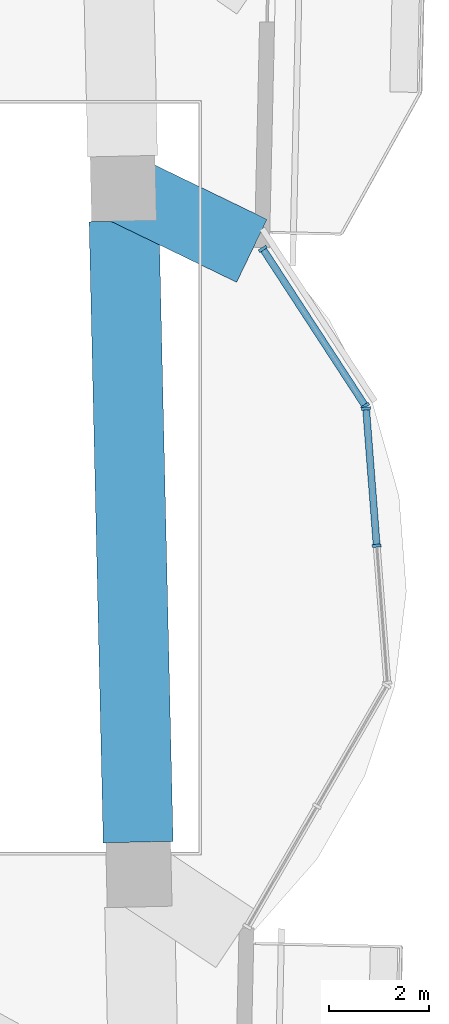
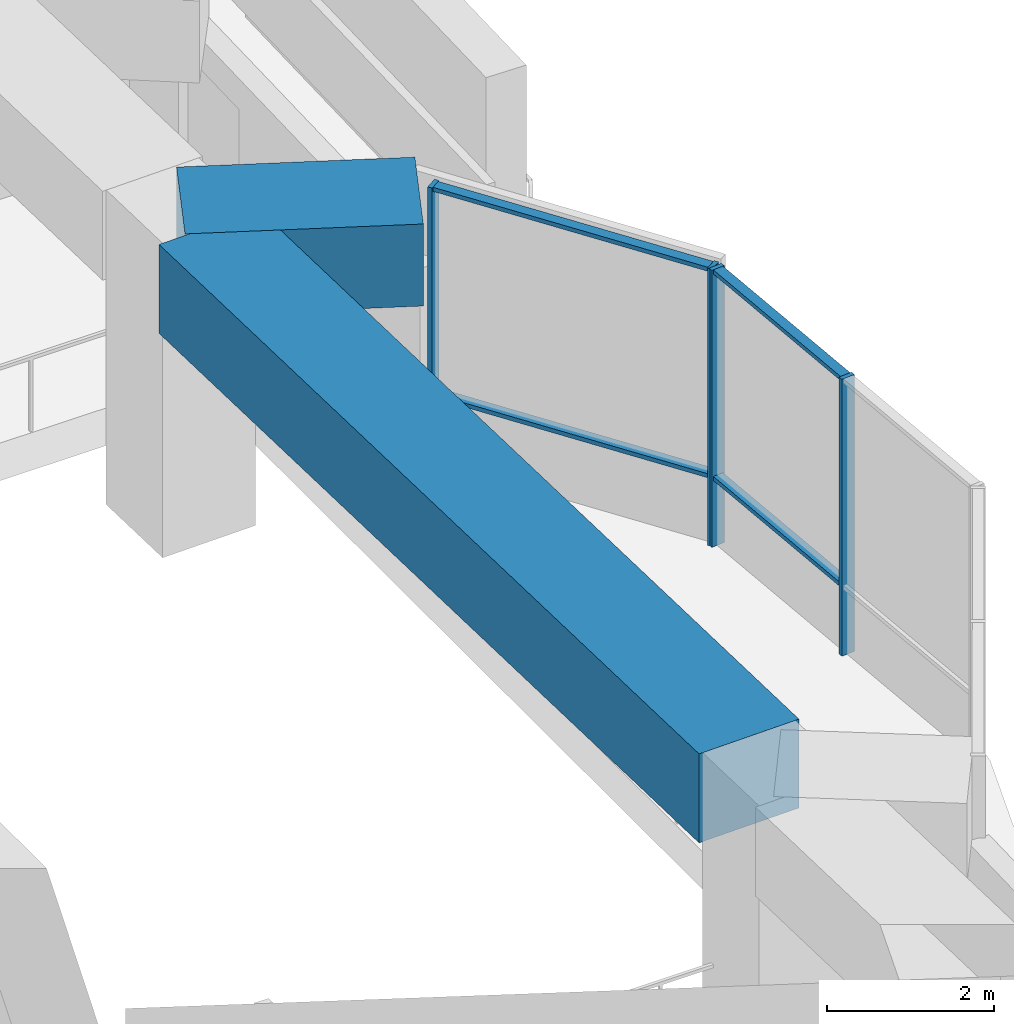
# One storey, part 4 of 17: 8 members, 2 beams, 2 elements without a shape of their own.
"""IFC4 building model written with IfcOpenShell, lengths in metres."""

import ifcopenshell
import ifcopenshell.guid

model = None  # the IFC model being written
_history = None  # IfcOwnerHistory: only IFC2X3 demands one
_inside = {}  # id of a spatial element -> (the spatial element, [elements in it])
_under = {}  # id of a project, library or spatial element -> (it, [spatial elements below it])
_declared = {}  # id of a project -> (the project, [libraries it declares])
_typed = {}  # id of a type object -> (the type object, [elements of that type])
_made_of = {}  # id of a material, layer set ... -> (it, [elements and type objects made of it])


def new_model(schema):
    """Start an empty IFC model of exactly this schema.

    Asked for "IFC4X3", IfcOpenShell would pick the latest addendum, in which some entities
    have other attributes; the version numbers below select the first issue.
    IFC2X3 requires an IfcOwnerHistory on every rooted entity: one is made here for all.
    """
    global model, _history
    if schema == "IFC4X3":
        model = ifcopenshell.file(schema_version=(4, 3, 0, 0))
    else:
        model = ifcopenshell.file(schema=schema)
    _inside.clear()
    _under.clear()
    _declared.clear()
    _typed.clear()
    _made_of.clear()
    _history = None
    if model.schema == "IFC2X3":
        org = make("IfcOrganization", Name="unknown")
        user = make(
            "IfcPersonAndOrganization",
            ThePerson=make("IfcPerson", FamilyName="unknown"),
            TheOrganization=org,
        )
        app = make(
            "IfcApplication",
            ApplicationDeveloper=org,
            Version="unknown",
            ApplicationFullName="unknown",
            ApplicationIdentifier="unknown",
        )
        _history = make(
            "IfcOwnerHistory",
            OwningUser=user,
            OwningApplication=app,
            ChangeAction="ADDED",
            CreationDate=0,
        )
    return model


def make(cls, **values):
    """One entity of the class cls with the attributes given. An attribute that is None is left unset."""
    return model.create_entity(
        cls, **{name: value for name, value in values.items() if value is not None}
    )


def rooted(cls, **values):
    """An entity with a GlobalId (a new one), such as an element, a storey or a relation."""
    return make(cls, GlobalId=ifcopenshell.guid.new(), OwnerHistory=_history, **values)


def si_unit(unit_type, name, prefix=None):
    """IfcSIUnit, for example si_unit("LENGTHUNIT", "METRE", prefix="MILLI")."""
    return make("IfcSIUnit", UnitType=unit_type, Prefix=prefix, Name=name)


def assignment(units):
    """IfcUnitAssignment: the units of a project."""
    return None if units is None else make("IfcUnitAssignment", Units=units)


def point(xyz):
    """IfcCartesianPoint."""
    return None if xyz is None else make("IfcCartesianPoint", Coordinates=xyz)


def direction(xyz):
    """IfcDirection."""
    return None if xyz is None else make("IfcDirection", DirectionRatios=xyz)


def frame(location, z_axis=None, x_axis=None):
    """IfcAxis2Placement3D, a coordinate frame: its origin and axes. An axis left out is left unset."""
    return make(
        "IfcAxis2Placement3D",
        Location=point(location),
        Axis=direction(z_axis),
        RefDirection=direction(x_axis),
    )


def frame_2d(location, x_axis=None):
    """IfcAxis2Placement2D, a coordinate frame in the plane: its origin and x axis."""
    return make(
        "IfcAxis2Placement2D", Location=point(location), RefDirection=direction(x_axis)
    )


def origin():
    """The frame at (0, 0, 0) with its axes left unset."""
    return frame((0.0, 0.0, 0.0))


def origin_2d():
    """The frame at (0, 0) in the plane with its x axis left unset."""
    return frame_2d((0.0, 0.0))


def place(relative_to, where):
    """IfcLocalPlacement: puts the frame where relative to a parent placement (None: the world)."""
    return make(
        "IfcLocalPlacement", PlacementRelTo=relative_to, RelativePlacement=where
    )


def context(
    kind, dimensions, precision=None, world=None, true_north=None, identifier=None
):
    """IfcGeometricRepresentationContext, for example the 3D "Model" context."""
    return make(
        "IfcGeometricRepresentationContext",
        ContextIdentifier=identifier,
        ContextType=kind,
        CoordinateSpaceDimension=dimensions,
        Precision=precision,
        WorldCoordinateSystem=world,
        TrueNorth=true_north,
    )


def subcontext(parent, identifier, kind, view, scale=None):
    """IfcGeometricRepresentationSubContext, for example "Body" below "Model"."""
    return make(
        "IfcGeometricRepresentationSubContext",
        ContextIdentifier=identifier,
        ContextType=kind,
        ParentContext=parent,
        TargetScale=scale,
        TargetView=view,
    )


def project(units=None, contexts=None):
    """IfcProject with its units and contexts."""
    return rooted(
        "IfcProject",
        Name="project",
        RepresentationContexts=contexts,
        UnitsInContext=assignment(units),
    )


def spatial(cls, under=None, at=None, **own):
    """A site, building, storey or space (cls), placed at a placement, below another one or the project."""
    s = rooted(cls, ObjectPlacement=at, **own)
    if under is not None:
        _under.setdefault(under.id(), (under, []))[1].append(s)
    return s


def profile(cls, at=None, kind="AREA", **sizes):
    """A parametric profile (cls). Its sizes go by their IFC names, for example OverallWidth=200.0."""
    return make(cls, ProfileType=kind, Position=at, **sizes)


def rectangle(**sizes):
    """IfcRectangleProfileDef."""
    return profile("IfcRectangleProfileDef", **sizes)


def extrude(swept, where, along, depth):
    """IfcExtrudedAreaSolid: the profile swept, set in the frame where, extruded along a direction by depth."""
    return make(
        "IfcExtrudedAreaSolid",
        SweptArea=swept,
        Position=where,
        ExtrudedDirection=direction(along),
        Depth=depth,
    )


def shape(context_of_items, identifier, shape_type, items):
    """IfcShapeRepresentation: the items that make up one representation, for example the "Body"."""
    return make(
        "IfcShapeRepresentation",
        ContextOfItems=context_of_items,
        RepresentationIdentifier=identifier,
        RepresentationType=shape_type,
        Items=items,
    )


def material(Name=None, Category=None):
    """IfcMaterial."""
    return make("IfcMaterial", Name=Name, Category=Category)


def material_profile(
    of_material, cross_section, Name=None, Category=None, Priority=None
):
    """IfcMaterialProfile: a cross section and its material."""
    return make(
        "IfcMaterialProfile",
        Name=Name,
        Material=of_material,
        Profile=cross_section,
        Priority=Priority,
        Category=Category,
    )


def profile_set(profiles, Name=None, composite=None):
    """IfcMaterialProfileSet."""
    return make(
        "IfcMaterialProfileSet",
        Name=Name,
        MaterialProfiles=profiles,
        CompositeProfile=composite,
    )


def made_of(thing, what):
    """Note that an element or type object is made of a material, layer set ...; save() writes the relation."""
    if what is not None:
        _made_of.setdefault(what.id(), (what, []))[1].append(thing)
    return thing


def type_object(cls, material=None, **own):
    """A type object (cls), such as IfcWallType, which elements share."""
    return made_of(rooted(cls, **own), material)


def element(
    cls,
    number,
    at=None,
    inside=None,
    cuts=None,
    type_object=None,
    material=None,
    context=None,
    identifier="Body",
    shape_type=None,
    held_by="IfcProductDefinitionShape",
    body=None,
    shapes=None,
    **own,
):
    """One element of the class cls, such as IfcWall. Its Tag is "e" and its number.

    at: its placement. inside: the storey or other place that contains it. cuts: it is an
    opening in that element (IfcRelVoidsElement). A single representation is given by context,
    identifier, shape_type and body (its items); several are given by shapes. held_by: the class
    of the entity that holds the representations. save() writes the other relations.
    """
    e = rooted(cls, Tag="e%d" % number, ObjectPlacement=at, **own)
    if body is not None:
        shapes = [shape(context, identifier, shape_type, body)]
    if shapes is not None:
        e.Representation = make(held_by, Representations=shapes)
    if inside is not None:
        _inside.setdefault(inside.id(), (inside, []))[1].append(e)
    if cuts is not None:
        rooted(
            "IfcRelVoidsElement", RelatingBuildingElement=cuts, RelatedOpeningElement=e
        )
    if type_object is not None:
        _typed.setdefault(type_object.id(), (type_object, []))[1].append(e)
    return made_of(e, material)


def aggregate(whole, parts):
    """IfcRelAggregates: a whole, such as a stair, and the parts it consists of."""
    return rooted("IfcRelAggregates", RelatingObject=whole, RelatedObjects=parts)


def save(model, path):
    """Write the relations noted so far, then the file.

    IfcRelAggregates (storeys below a building ...), IfcRelContainedInSpatialStructure (elements
    in a storey), IfcRelDefinesByType, IfcRelAssociatesMaterial and IfcRelDeclares: one each for
    every whole, place, type object, material and project.
    """
    for whole, parts in _under.values():
        aggregate(whole, parts)
    for where, things in _inside.values():
        rooted(
            "IfcRelContainedInSpatialStructure",
            RelatedElements=things,
            RelatingStructure=where,
        )
    for kind, things in _typed.values():
        rooted("IfcRelDefinesByType", RelatedObjects=things, RelatingType=kind)
    for what, things in _made_of.values():
        rooted("IfcRelAssociatesMaterial", RelatedObjects=things, RelatingMaterial=what)
    for by, libraries in _declared.values():
        rooted("IfcRelDeclares", RelatingContext=by, RelatedDefinitions=libraries)
    model.write(path)


model = new_model("IFC4")

# Units and contexts
model_context = context("Model", 3, precision=1e-05, world=origin(), true_north=direction((0.0, 1.0)))
body_context = subcontext(model_context, "Body", "Model", "MODEL_VIEW")
ifc_project = project(units=[si_unit("LENGTHUNIT", "METRE"), si_unit("AREAUNIT", "SQUARE_METRE"), si_unit("VOLUMEUNIT", "CUBIC_METRE"), si_unit("PLANEANGLEUNIT", "RADIAN"), si_unit("MASSUNIT", "GRAM", prefix="KILO")], contexts=[model_context])

# Site, building, storey
site_placement = place(None, origin())
site = spatial("IfcSite", under=ifc_project, at=site_placement, CompositionType="ELEMENT")
building_placement = place(site_placement, origin())
building = spatial("IfcBuilding", under=site, at=building_placement, Name="Mangrove Gate Tower", CompositionType="ELEMENT")
storey_placement = place(building_placement, frame((0.0, 0.0, 148.10009765625)))
storey = spatial("IfcBuildingStorey", under=building, at=storey_placement, Name="L37", CompositionType="ELEMENT", Elevation=148.10009765625)

# Curtain wall, members
ifc_material_1 = material(Name="Aluminium and glass curtain wall", Category="aluminium")
curtain_wall_type = type_object("IfcCurtainWallType", Name="Sky-lounge glazing wall", PredefinedType="NOTDEFINED", material=ifc_material_1)
curtain_wall_1_placement = place(storey_placement, origin())
curtain_wall_1 = element("IfcCurtainWall", 1, at=curtain_wall_1_placement, inside=storey, type_object=curtain_wall_type, Name="Sky-lounge glazing E1f2", PredefinedType="NOTDEFINED")
ifc_material_2 = material(Name="Aluminium alloy 6063-T6", Category="aluminium")
ifc_material_profile_1 = material_profile(ifc_material_2, rectangle(XDim=0.06005859375, YDim=0.179931640625, at=origin_2d()))
ifc_profile_set_1 = profile_set([ifc_material_profile_1], Name="Aluminium alloy 6063-T6")
member_type_1 = type_object("IfcMemberType", Name="Sky-lounge glazing mullion 60x180", PredefinedType="MULLION", material=ifc_profile_set_1)
member_1_placement = place(storey_placement, frame((28.53759765625, -1.361572265625, 0.0), z_axis=(0.0, 0.0, 1.0), x_axis=(-0.077023348403, 0.997029289339, 0.0)))
member_1 = element("IfcMember", 2, at=member_1_placement, type_object=member_type_1, Name="CWK mullion 2", PredefinedType="MULLION", context=body_context, shape_type="SweptSolid", body=[
    extrude(rectangle(XDim=0.06005859375, YDim=0.179931640625, at=origin_2d()), origin(), (0.0, 0.0, 1.0), 4.0498046875),
])
member_2_placement = place(storey_placement, frame((28.3251953125, 1.386962890625, 0.0), z_axis=(0.0, 0.0, 1.0), x_axis=(-0.077023348403, 0.997029289339, 0.0)))
member_2 = element("IfcMember", 3, at=member_2_placement, type_object=member_type_1, Name="CWK mullion 3", PredefinedType="MULLION", context=body_context, shape_type="SweptSolid", body=[
    extrude(rectangle(XDim=0.06005859375, YDim=0.179931640625, at=origin_2d()), origin(), (0.0, 0.0, 1.0), 4.0498046875),
])

curtain_wall_2_placement = place(storey_placement, origin())
curtain_wall_2 = element("IfcCurtainWall", 4, at=curtain_wall_2_placement, inside=storey, type_object=curtain_wall_type, Name="Sky-lounge glazing E1f3", PredefinedType="NOTDEFINED")
member_3_placement = place(storey_placement, frame((28.306396484375, 1.44189453125, 0.0), z_axis=(0.0, 0.0, 1.0), x_axis=(-0.546235085045, 0.837631919083, 0.0)))
member_3 = element("IfcMember", 5, at=member_3_placement, type_object=member_type_1, Name="CWK mullion 1", PredefinedType="MULLION", context=body_context, shape_type="SweptSolid", body=[
    extrude(rectangle(XDim=0.06005859375, YDim=0.179931640625, at=origin_2d()), origin(), (0.0, 0.0, 1.0), 4.0498046875),
])
member_4_placement = place(storey_placement, frame((26.2548828125, 4.588134765625, 0.0), z_axis=(0.0, 0.0, 1.0), x_axis=(-0.546235085045, 0.837631919083, 0.0)))
member_4 = element("IfcMember", 6, at=member_4_placement, type_object=member_type_1, Name="CWK mullion 2", PredefinedType="MULLION", context=body_context, shape_type="SweptSolid", body=[
    extrude(rectangle(XDim=0.06005859375, YDim=0.179931640625, at=origin_2d()), origin(), (0.0, 0.0, 1.0), 4.0498046875),
])

# Member
ifc_material_3 = material(Name="Aluminium alloy 6063-T6", Category="aluminium")
ifc_material_profile_2 = material_profile(ifc_material_3, rectangle(XDim=0.06005859375, YDim=0.139892578125, at=origin_2d()))
ifc_profile_set_2 = profile_set([ifc_material_profile_2], Name="Aluminium alloy 6063-T6")
member_type_2 = type_object("IfcMemberType", Name="Sky-lounge glazing transom 60x140", PredefinedType="USERDEFINED", material=ifc_profile_set_2)
member_5_placement = place(storey_placement, frame((28.53515625, -1.33154296875, 1.0), z_axis=(-0.076952650158, 0.997034748458, 0.0), x_axis=(0.0, 0.0, 1.0)))
member_5 = element("IfcMember", 7, at=member_5_placement, type_object=member_type_2, Name="CWK transom 2.2", ObjectType="TRANSOM", PredefinedType="USERDEFINED", context=body_context, shape_type="SweptSolid", body=[
    extrude(rectangle(XDim=0.06005859375, YDim=0.139892578125, at=origin_2d()), origin(), (0.0, 0.0, 1.0), 2.69677734375),
])

member_6_placement = place(storey_placement, frame((28.53515625, -1.33154296875, 4.02001953125), z_axis=(-0.076952650158, 0.997034748458, 0.0), x_axis=(0.0, 0.0, 1.0)))
member_6 = element("IfcMember", 8, at=member_6_placement, type_object=member_type_2, Name="CWK transom 2.3", ObjectType="TRANSOM", PredefinedType="USERDEFINED", context=body_context, shape_type="SweptSolid", body=[
    extrude(rectangle(XDim=0.06005859375, YDim=0.139892578125, at=origin_2d()), origin(), (0.0, 0.0, 1.0), 2.69677734375),
])

aggregate(curtain_wall_1, [member_1, member_2, member_5, member_6])

member_7_placement = place(storey_placement, frame((28.2900390625, 1.467041015625, 1.0), z_axis=(-0.546211360714, 0.837647389674, 0.0), x_axis=(0.0, 0.0, 1.0)))
member_7 = element("IfcMember", 9, at=member_7_placement, type_object=member_type_2, Name="CWK transom 1.2", ObjectType="TRANSOM", PredefinedType="USERDEFINED", context=body_context, shape_type="SweptSolid", body=[
    extrude(rectangle(XDim=0.06005859375, YDim=0.139892578125, at=origin_2d()), origin(), (0.0, 0.0, 1.0), 3.696044921875),
])

member_8_placement = place(storey_placement, frame((28.2900390625, 1.467041015625, 4.02001953125), z_axis=(-0.546211360714, 0.837647389674, 0.0), x_axis=(0.0, 0.0, 1.0)))
member_8 = element("IfcMember", 10, at=member_8_placement, type_object=member_type_2, Name="CWK transom 1.3", ObjectType="TRANSOM", PredefinedType="USERDEFINED", context=body_context, shape_type="SweptSolid", body=[
    extrude(rectangle(XDim=0.06005859375, YDim=0.139892578125, at=origin_2d()), origin(), (0.0, 0.0, 1.0), 3.696044921875),
])

aggregate(curtain_wall_2, [member_3, member_4, member_7, member_8])

# Beams
ifc_material_4 = material(Name="Concrete C60/75", Category="concrete")
ifc_material_profile_3 = material_profile(ifc_material_4, rectangle(XDim=1.39990234375, YDim=1.199951171875, at=origin_2d()))
ifc_profile_set_3 = profile_set([ifc_material_profile_3], Name="Concrete C60/75")
beam_type_1 = type_object("IfcBeamType", Name="Transfer girder RC 1400x1200 C60/75", PredefinedType="BEAM", material=ifc_profile_set_3)
beam_1_placement = place(storey_placement, frame((23.459228515625, 5.79638671875, 3.449951171875), z_axis=(0.899935829974, -0.436022364025, 0.0), x_axis=(0.436022364025, 0.899935829974, 0.0)))
element("IfcBeam", 11, at=beam_1_placement, inside=storey, type_object=beam_type_1, Name="Transfer edge girder L37 15", PredefinedType="BEAM", context=body_context, shape_type="SweptSolid", body=[
    extrude(rectangle(XDim=1.39990234375, YDim=1.199951171875, at=origin_2d()), origin(), (0.0, 0.0, 1.0), 2.8623046875),
])
ifc_material_5 = material(Name="Concrete C60/75", Category="concrete")
ifc_material_profile_4 = material_profile(ifc_material_5, rectangle(XDim=1.39990234375, YDim=1.300048828125, at=origin_2d()))
ifc_profile_set_4 = profile_set([ifc_material_profile_4], Name="Concrete C60/75")
beam_type_2 = type_object("IfcBeamType", Name="Transfer girder RC 1400x1300 C60/75", PredefinedType="BEAM", material=ifc_profile_set_4)
beam_2_placement = place(storey_placement, frame((23.75634765625, -7.302001953125, 3.39990234375), z_axis=(-0.02268532922, 0.999742654806, 0.0), x_axis=(-0.999742654806, -0.02268532922, 0.0)))
element("IfcBeam", 12, at=beam_2_placement, inside=storey, type_object=beam_type_2, Name="Transfer ring girder L37 14", PredefinedType="BEAM", context=body_context, shape_type="SweptSolid", body=[
    extrude(rectangle(XDim=1.39990234375, YDim=1.300048828125, at=origin_2d()), origin(), (0.0, 0.0, 1.0), 12.45166015625),
])

save(model, "model.ifc")
